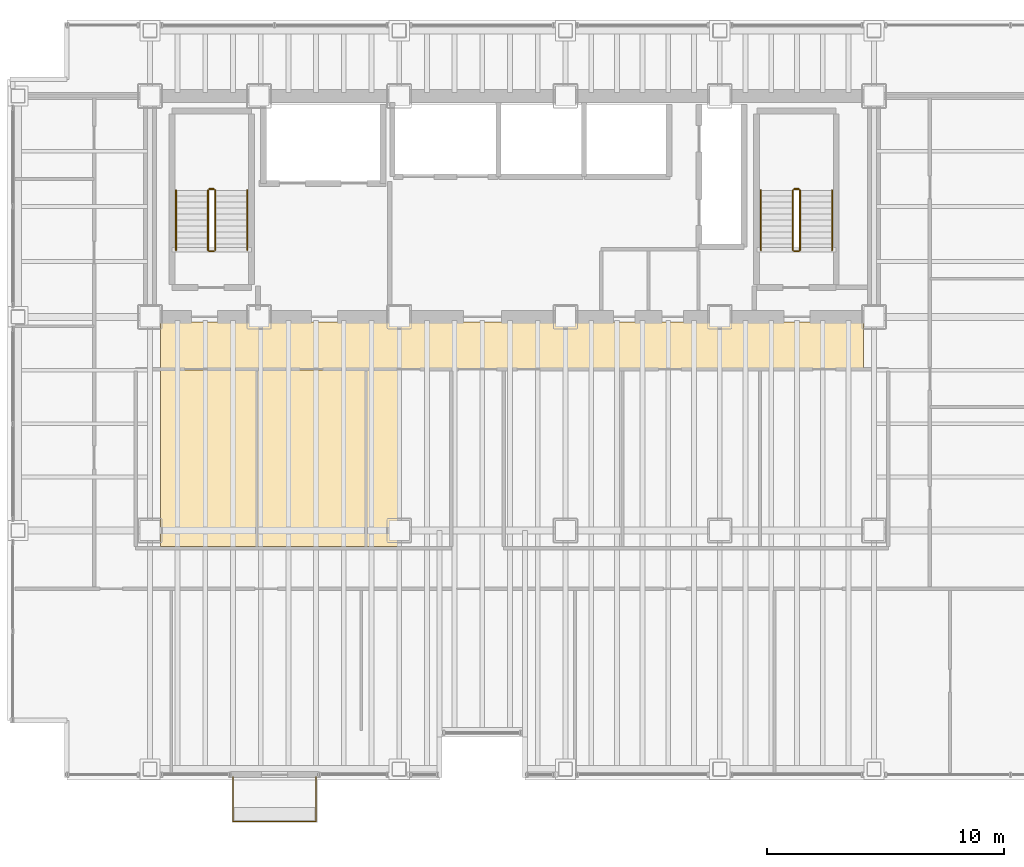
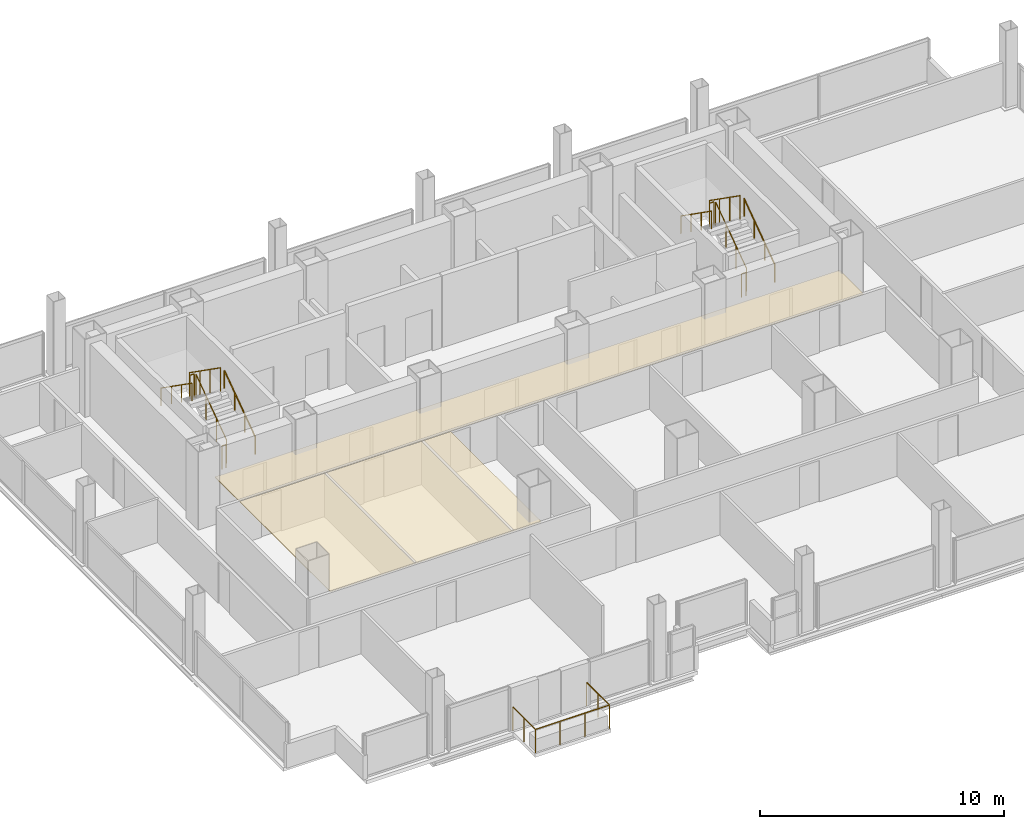
# One storey, part 21 of 21: 13 railings, 2 coverings.
"""IFC4 building model written with IfcOpenShell, lengths in metres."""

from ifc_helpers import new_model, si_unit, direction, frame, origin, origin_2d, place, context, subcontext, project, spatial, polyline, circle, outline, extrude, material, layer, layer_set, type_object, element, save


model = new_model("IFC4")

# Units and contexts
model_context = context("Model", 3, precision=1e-05, world=origin(), true_north=direction((0.0, 1.0)))
body_context = subcontext(model_context, "Body", "Model", "MODEL_VIEW")
ifc_project = project(units=[si_unit("LENGTHUNIT", "METRE"), si_unit("AREAUNIT", "SQUARE_METRE"), si_unit("VOLUMEUNIT", "CUBIC_METRE"), si_unit("PLANEANGLEUNIT", "RADIAN"), si_unit("MASSUNIT", "GRAM", prefix="KILO")], contexts=[model_context])

# Site, building, storey
site_placement = place(None, origin())
site = spatial("IfcSite", under=ifc_project, at=site_placement, CompositionType="ELEMENT")
building_placement = place(site_placement, origin())
building = spatial("IfcBuilding", under=site, at=building_placement, Name="Noeulbin Bourse Tower", CompositionType="ELEMENT")
storey_placement = place(building_placement, frame((0.0, 0.0, 96.699951171875)))
storey = spatial("IfcBuildingStorey", under=building, at=storey_placement, Name="L24", CompositionType="ELEMENT", Elevation=96.699951171875)

# Coverings
ifc_material_1 = material(Name="Perforated Mineral-Fibre Acoustic Tile")
ifc_layer_1 = layer(ifc_material_1, 0.0400390625)
ifc_layer_set_1 = layer_set([ifc_layer_1], Name="Perforated Mineral-Fibre Acoustic Tile")
covering_type = type_object("IfcCoveringType", Name="COV-CEIL-ACT", PredefinedType="CEILING", material=ifc_layer_set_1)
covering_1_placement = place(storey_placement, frame((0.0, 0.0, 2.110107421875)))
element("IfcCovering", 1, at=covering_1_placement, inside=storey, type_object=covering_type, Name="Corridor Suspended Ceiling L24", PredefinedType="CEILING", context=body_context, shape_type="SweptSolid", body=[
    extrude(outline(polyline([(13.949951171875, 26.820068359375), (43.550048828125, 26.820068359375), (43.550048828125, 28.780029296875), (13.949951171875, 28.780029296875), (13.949951171875, 26.820068359375)])), origin(), (0.0, 0.0, 1.0), 0.0400390625),
])
covering_2_placement = place(storey_placement, frame((0.0, 0.0, 2.110107421875)))
element("IfcCovering", 2, at=covering_2_placement, inside=storey, type_object=covering_type, Name="Trading Suite Acoustic Ceiling L24", PredefinedType="CEILING", context=body_context, shape_type="SweptSolid", body=[
    extrude(outline(polyline([(13.949951171875, 19.320068359375), (23.949951171875, 19.320068359375), (23.949951171875, 26.75), (13.949951171875, 26.75), (13.949951171875, 19.320068359375)])), origin(), (0.0, 0.0, 1.0), 0.0400390625),
])

# Railings
ifc_material_2 = material(Name="Laminated SentryGlas and Stainless Steel 316", Category="steel")
ifc_layer_2 = layer(ifc_material_2, 0.06005859375)
ifc_layer_set_2 = layer_set([ifc_layer_2], Name="Laminated SentryGlas and Stainless Steel 316")
railing_type_1 = type_object("IfcRailingType", Name="RLG-BAL-1200", PredefinedType="BALUSTRADE", material=ifc_layer_set_2)
railing_1_placement = place(storey_placement, frame((17.0, 9.6201171875, 0.0)))
element("IfcRailing", 3, at=railing_1_placement, inside=storey, type_object=railing_type_1, Name="Tree-Balcony Glazed Balustrade L24", PredefinedType="BALUSTRADE", context=body_context, shape_type="SweptSolid", body=[
    extrude(circle(Radius=0.02392578125, at=origin_2d()), frame((0.0, 0.0, 1.17578125), z_axis=(0.0, -1.0, 0.0), x_axis=(1.0, 0.0, 0.0)), (0.0, 0.0, 1.0), 1.8701171875),
    extrude(circle(Radius=0.02392578125, at=origin_2d()), frame((0.0, -1.8701171875, 1.17578125), z_axis=(1.0, 0.0, 0.0), x_axis=(0.0, 1.0, 0.0)), (0.0, 0.0, 1.0), 3.5),
    extrude(circle(Radius=0.02392578125, at=origin_2d()), frame((3.5, -1.8701171875, 1.17578125), z_axis=(0.0, 1.0, 0.0), x_axis=(-1.0, 0.0, 0.0)), (0.0, 0.0, 1.0), 1.8701171875),
    extrude(circle(Radius=0.02099609375, at=origin_2d()), origin(), (0.0, 0.0, 1.0), 1.15185546875),
    extrude(circle(Radius=0.02099609375, at=origin_2d()), frame((0.0, -0.93505859375, 0.0)), (0.0, 0.0, 1.0), 1.15185546875),
    extrude(circle(Radius=0.02099609375, at=origin_2d()), frame((0.0, -1.8701171875, 0.0)), (0.0, 0.0, 1.0), 1.15185546875),
    extrude(circle(Radius=0.02099609375, at=origin_2d()), frame((1.166748046875, -1.8701171875, 0.0)), (0.0, 0.0, 1.0), 1.15185546875),
    extrude(circle(Radius=0.02099609375, at=origin_2d()), frame((2.333251953125, -1.8701171875, 0.0)), (0.0, 0.0, 1.0), 1.15185546875),
    extrude(circle(Radius=0.02099609375, at=origin_2d()), frame((3.5, -1.8701171875, 0.0)), (0.0, 0.0, 1.0), 1.15185546875),
    extrude(circle(Radius=0.02099609375, at=origin_2d()), frame((3.5, -0.93505859375, 0.0)), (0.0, 0.0, 1.0), 1.15185546875),
    extrude(circle(Radius=0.02099609375, at=origin_2d()), frame((3.5, 0.0, 0.0)), (0.0, 0.0, 1.0), 1.15185546875),
])
ifc_material_3 = material(Name="Painted Tubular Steel S355", Category="steel")
ifc_layer_3 = layer(ifc_material_3, 0.048095703125)
ifc_layer_set_3 = layer_set([ifc_layer_3], Name="Painted Tubular Steel S355")
railing_type_2 = type_object("IfcRailingType", Name="RLG-STR-GRD", PredefinedType="GUARDRAIL", material=ifc_layer_set_3)
railing_2_placement = place(storey_placement, frame((16.25, 31.81005859375, 0.17724609375)))
element("IfcRailing", 4, at=railing_2_placement, inside=storey, type_object=railing_type_2, Name="L24 ST-1 stair guard 1", PredefinedType="GUARDRAIL", context=body_context, shape_type="SweptSolid", body=[
    extrude(circle(Radius=0.02392578125, at=origin_2d()), frame((0.0, 0.0, 1.17578125), z_axis=(0.0, 0.817904474719, 0.575354039036), x_axis=(-1.0, 0.0, 0.0)), (0.0, 0.0, 1.0), 3.0810546875),
    extrude(circle(Radius=0.02099609375, at=origin_2d()), origin(), (0.0, 0.0, 1.0), 1.15185546875),
    extrude(circle(Radius=0.02099609375, at=origin_2d()), frame((0.0, 0.840087890625, 0.5908203125)), (0.0, 0.0, 1.0), 1.15185546875),
    extrude(circle(Radius=0.02099609375, at=origin_2d()), frame((0.0, 1.679931640625, 1.181884765625)), (0.0, 0.0, 1.0), 1.15185546875),
    extrude(circle(Radius=0.02099609375, at=origin_2d()), frame((0.0, 2.52001953125, 1.772705078125)), (0.0, 0.0, 1.0), 1.15185546875),
])
railing_3_placement = place(storey_placement, frame((16.199951171875, 34.3798828125, 1.949951171875)))
element("IfcRailing", 5, at=railing_3_placement, inside=storey, type_object=railing_type_2, Name="L24 ST-1 stair guard 2", PredefinedType="GUARDRAIL", context=body_context, shape_type="SweptSolid", body=[
    extrude(circle(Radius=0.02392578125, at=origin_2d()), frame((0.0, 0.0, 1.17578125), z_axis=(-1.0, 0.0, 0.0), x_axis=(0.0, -1.0, 0.0)), (0.0, 0.0, 1.0), 0.199951171875),
    extrude(circle(Radius=0.02099609375, at=origin_2d()), origin(), (0.0, 0.0, 1.0), 1.15185546875),
    extrude(circle(Radius=0.02099609375, at=origin_2d()), frame((-0.199951171875, 0.0, 0.0)), (0.0, 0.0, 1.0), 1.15185546875),
])
railing_4_placement = place(storey_placement, frame((15.949951171875, 34.330078125, 2.12744140625)))
element("IfcRailing", 6, at=railing_4_placement, inside=storey, type_object=railing_type_2, Name="L24 ST-1 stair guard 3", PredefinedType="GUARDRAIL", context=body_context, shape_type="SweptSolid", body=[
    extrude(circle(Radius=0.02392578125, at=origin_2d()), frame((0.0, 0.0, 1.17578125), z_axis=(0.0, -0.817904474719, 0.575354039036), x_axis=(1.0, 0.0, 0.0)), (0.0, 0.0, 1.0), 3.0810546875),
    extrude(circle(Radius=0.02099609375, at=origin_2d()), origin(), (0.0, 0.0, 1.0), 1.15185546875),
    extrude(circle(Radius=0.02099609375, at=origin_2d()), frame((0.0, -0.840087890625, 0.5908203125)), (0.0, 0.0, 1.0), 1.15185546875),
    extrude(circle(Radius=0.02099609375, at=origin_2d()), frame((0.0, -1.679931640625, 1.181884765625)), (0.0, 0.0, 1.0), 1.15185546875),
    extrude(circle(Radius=0.02099609375, at=origin_2d()), frame((0.0, -2.52001953125, 1.772705078125)), (0.0, 0.0, 1.0), 1.15185546875),
])
railing_5_placement = place(storey_placement, frame((16.199951171875, 31.760009765625, 0.0)))
element("IfcRailing", 7, at=railing_5_placement, inside=storey, type_object=railing_type_2, Name="L24 ST-1 stair guard 4", PredefinedType="GUARDRAIL", context=body_context, shape_type="SweptSolid", body=[
    extrude(circle(Radius=0.02392578125, at=origin_2d()), frame((0.0, 0.0, 1.17578125), z_axis=(-1.0, 0.0, 0.0), x_axis=(0.0, -1.0, 0.0)), (0.0, 0.0, 1.0), 0.199951171875),
    extrude(circle(Radius=0.02099609375, at=origin_2d()), origin(), (0.0, 0.0, 1.0), 1.15185546875),
    extrude(circle(Radius=0.02099609375, at=origin_2d()), frame((-0.199951171875, 0.0, 0.0)), (0.0, 0.0, 1.0), 1.15185546875),
])
railing_6_placement = place(storey_placement, frame((40.8798828125, 31.81005859375, 0.17724609375)))
element("IfcRailing", 8, at=railing_6_placement, inside=storey, type_object=railing_type_2, Name="L24 ST-2 stair guard 1", PredefinedType="GUARDRAIL", context=body_context, shape_type="SweptSolid", body=[
    extrude(circle(Radius=0.02392578125, at=origin_2d()), frame((0.0, 0.0, 1.17578125), z_axis=(0.0, 0.817904474719, 0.575354039036), x_axis=(-1.0, 0.0, 0.0)), (0.0, 0.0, 1.0), 3.0810546875),
    extrude(circle(Radius=0.02099609375, at=origin_2d()), origin(), (0.0, 0.0, 1.0), 1.15185546875),
    extrude(circle(Radius=0.02099609375, at=origin_2d()), frame((0.0, 0.840087890625, 0.5908203125)), (0.0, 0.0, 1.0), 1.15185546875),
    extrude(circle(Radius=0.02099609375, at=origin_2d()), frame((0.0, 1.679931640625, 1.181884765625)), (0.0, 0.0, 1.0), 1.15185546875),
    extrude(circle(Radius=0.02099609375, at=origin_2d()), frame((0.0, 2.52001953125, 1.772705078125)), (0.0, 0.0, 1.0), 1.15185546875),
])
railing_7_placement = place(storey_placement, frame((40.830078125, 34.3798828125, 1.949951171875)))
element("IfcRailing", 9, at=railing_7_placement, inside=storey, type_object=railing_type_2, Name="L24 ST-2 stair guard 2", PredefinedType="GUARDRAIL", context=body_context, shape_type="SweptSolid", body=[
    extrude(circle(Radius=0.02392578125, at=origin_2d()), frame((0.0, 0.0, 1.17578125), z_axis=(-1.0, 0.0, 0.0), x_axis=(0.0, -1.0, 0.0)), (0.0, 0.0, 1.0), 0.2001953125),
    extrude(circle(Radius=0.02099609375, at=origin_2d()), origin(), (0.0, 0.0, 1.0), 1.15185546875),
    extrude(circle(Radius=0.02099609375, at=origin_2d()), frame((-0.2001953125, 0.0, 0.0)), (0.0, 0.0, 1.0), 1.15185546875),
])
railing_8_placement = place(storey_placement, frame((40.580078125, 34.330078125, 2.12744140625)))
element("IfcRailing", 10, at=railing_8_placement, inside=storey, type_object=railing_type_2, Name="L24 ST-2 stair guard 3", PredefinedType="GUARDRAIL", context=body_context, shape_type="SweptSolid", body=[
    extrude(circle(Radius=0.02392578125, at=origin_2d()), frame((0.0, 0.0, 1.17578125), z_axis=(0.0, -0.817904474719, 0.575354039036), x_axis=(1.0, 0.0, 0.0)), (0.0, 0.0, 1.0), 3.0810546875),
    extrude(circle(Radius=0.02099609375, at=origin_2d()), origin(), (0.0, 0.0, 1.0), 1.15185546875),
    extrude(circle(Radius=0.02099609375, at=origin_2d()), frame((0.0, -0.840087890625, 0.5908203125)), (0.0, 0.0, 1.0), 1.15185546875),
    extrude(circle(Radius=0.02099609375, at=origin_2d()), frame((0.0, -1.679931640625, 1.181884765625)), (0.0, 0.0, 1.0), 1.15185546875),
    extrude(circle(Radius=0.02099609375, at=origin_2d()), frame((0.0, -2.52001953125, 1.772705078125)), (0.0, 0.0, 1.0), 1.15185546875),
])
railing_9_placement = place(storey_placement, frame((40.830078125, 31.760009765625, 0.0)))
element("IfcRailing", 11, at=railing_9_placement, inside=storey, type_object=railing_type_2, Name="L24 ST-2 stair guard 4", PredefinedType="GUARDRAIL", context=body_context, shape_type="SweptSolid", body=[
    extrude(circle(Radius=0.02392578125, at=origin_2d()), frame((0.0, 0.0, 1.17578125), z_axis=(-1.0, 0.0, 0.0), x_axis=(0.0, -1.0, 0.0)), (0.0, 0.0, 1.0), 0.2001953125),
    extrude(circle(Radius=0.02099609375, at=origin_2d()), origin(), (0.0, 0.0, 1.0), 1.15185546875),
    extrude(circle(Radius=0.02099609375, at=origin_2d()), frame((-0.2001953125, 0.0, 0.0)), (0.0, 0.0, 1.0), 1.15185546875),
])
ifc_material_4 = material(Name="Brushed Stainless Steel 316", Category="steel")
ifc_layer_4 = layer(ifc_material_4, 0.048095703125)
ifc_layer_set_4 = layer_set([ifc_layer_4], Name="Brushed Stainless Steel 316")
railing_type_3 = type_object("IfcRailingType", Name="RLG-STR-HND", PredefinedType="HANDRAIL", material=ifc_layer_set_4)
railing_10_placement = place(storey_placement, frame((17.60009765625, 31.81005859375, 0.17724609375)))
element("IfcRailing", 12, at=railing_10_placement, inside=storey, type_object=railing_type_3, Name="L24 ST-1 stair handrail 1", PredefinedType="HANDRAIL", context=body_context, shape_type="SweptSolid", body=[
    extrude(circle(Radius=0.02392578125, at=origin_2d()), frame((0.0, 0.0, 0.8759765625), z_axis=(0.0, 0.817904474719, 0.575354039036), x_axis=(-1.0, 0.0, 0.0)), (0.0, 0.0, 1.0), 3.0810546875),
    extrude(circle(Radius=0.02099609375, at=origin_2d()), origin(), (0.0, 0.0, 1.0), 0.851806640625),
    extrude(circle(Radius=0.02099609375, at=origin_2d()), frame((0.0, 0.840087890625, 0.5908203125)), (0.0, 0.0, 1.0), 0.851806640625),
    extrude(circle(Radius=0.02099609375, at=origin_2d()), frame((0.0, 1.679931640625, 1.181884765625)), (0.0, 0.0, 1.0), 0.851806640625),
    extrude(circle(Radius=0.02099609375, at=origin_2d()), frame((0.0, 2.52001953125, 1.772705078125)), (0.0, 0.0, 1.0), 0.851806640625),
])
railing_11_placement = place(storey_placement, frame((14.60009765625, 34.330078125, 2.12744140625)))
element("IfcRailing", 13, at=railing_11_placement, inside=storey, type_object=railing_type_3, Name="L24 ST-1 stair handrail 2", PredefinedType="HANDRAIL", context=body_context, shape_type="SweptSolid", body=[
    extrude(circle(Radius=0.02392578125, at=origin_2d()), frame((0.0, 0.0, 0.8759765625), z_axis=(0.0, -0.817904474719, 0.575354039036), x_axis=(1.0, 0.0, 0.0)), (0.0, 0.0, 1.0), 3.0810546875),
    extrude(circle(Radius=0.02099609375, at=origin_2d()), origin(), (0.0, 0.0, 1.0), 0.851806640625),
    extrude(circle(Radius=0.02099609375, at=origin_2d()), frame((0.0, -0.840087890625, 0.5908203125)), (0.0, 0.0, 1.0), 0.851806640625),
    extrude(circle(Radius=0.02099609375, at=origin_2d()), frame((0.0, -1.679931640625, 1.181884765625)), (0.0, 0.0, 1.0), 0.851806640625),
    extrude(circle(Radius=0.02099609375, at=origin_2d()), frame((0.0, -2.52001953125, 1.772705078125)), (0.0, 0.0, 1.0), 0.851806640625),
])
railing_12_placement = place(storey_placement, frame((42.22998046875, 31.81005859375, 0.17724609375)))
element("IfcRailing", 14, at=railing_12_placement, inside=storey, type_object=railing_type_3, Name="L24 ST-2 stair handrail 1", PredefinedType="HANDRAIL", context=body_context, shape_type="SweptSolid", body=[
    extrude(circle(Radius=0.02392578125, at=origin_2d()), frame((0.0, 0.0, 0.8759765625), z_axis=(0.0, 0.817904474719, 0.575354039036), x_axis=(-1.0, 0.0, 0.0)), (0.0, 0.0, 1.0), 3.0810546875),
    extrude(circle(Radius=0.02099609375, at=origin_2d()), origin(), (0.0, 0.0, 1.0), 0.851806640625),
    extrude(circle(Radius=0.02099609375, at=origin_2d()), frame((0.0, 0.840087890625, 0.5908203125)), (0.0, 0.0, 1.0), 0.851806640625),
    extrude(circle(Radius=0.02099609375, at=origin_2d()), frame((0.0, 1.679931640625, 1.181884765625)), (0.0, 0.0, 1.0), 0.851806640625),
    extrude(circle(Radius=0.02099609375, at=origin_2d()), frame((0.0, 2.52001953125, 1.772705078125)), (0.0, 0.0, 1.0), 0.851806640625),
])
railing_13_placement = place(storey_placement, frame((39.22998046875, 34.330078125, 2.12744140625)))
element("IfcRailing", 15, at=railing_13_placement, inside=storey, type_object=railing_type_3, Name="L24 ST-2 stair handrail 2", PredefinedType="HANDRAIL", context=body_context, shape_type="SweptSolid", body=[
    extrude(circle(Radius=0.02392578125, at=origin_2d()), frame((0.0, 0.0, 0.8759765625), z_axis=(0.0, -0.817904474719, 0.575354039036), x_axis=(1.0, 0.0, 0.0)), (0.0, 0.0, 1.0), 3.0810546875),
    extrude(circle(Radius=0.02099609375, at=origin_2d()), origin(), (0.0, 0.0, 1.0), 0.851806640625),
    extrude(circle(Radius=0.02099609375, at=origin_2d()), frame((0.0, -0.840087890625, 0.5908203125)), (0.0, 0.0, 1.0), 0.851806640625),
    extrude(circle(Radius=0.02099609375, at=origin_2d()), frame((0.0, -1.679931640625, 1.181884765625)), (0.0, 0.0, 1.0), 0.851806640625),
    extrude(circle(Radius=0.02099609375, at=origin_2d()), frame((0.0, -2.52001953125, 1.772705078125)), (0.0, 0.0, 1.0), 0.851806640625),
])

save(model, "model.ifc")
